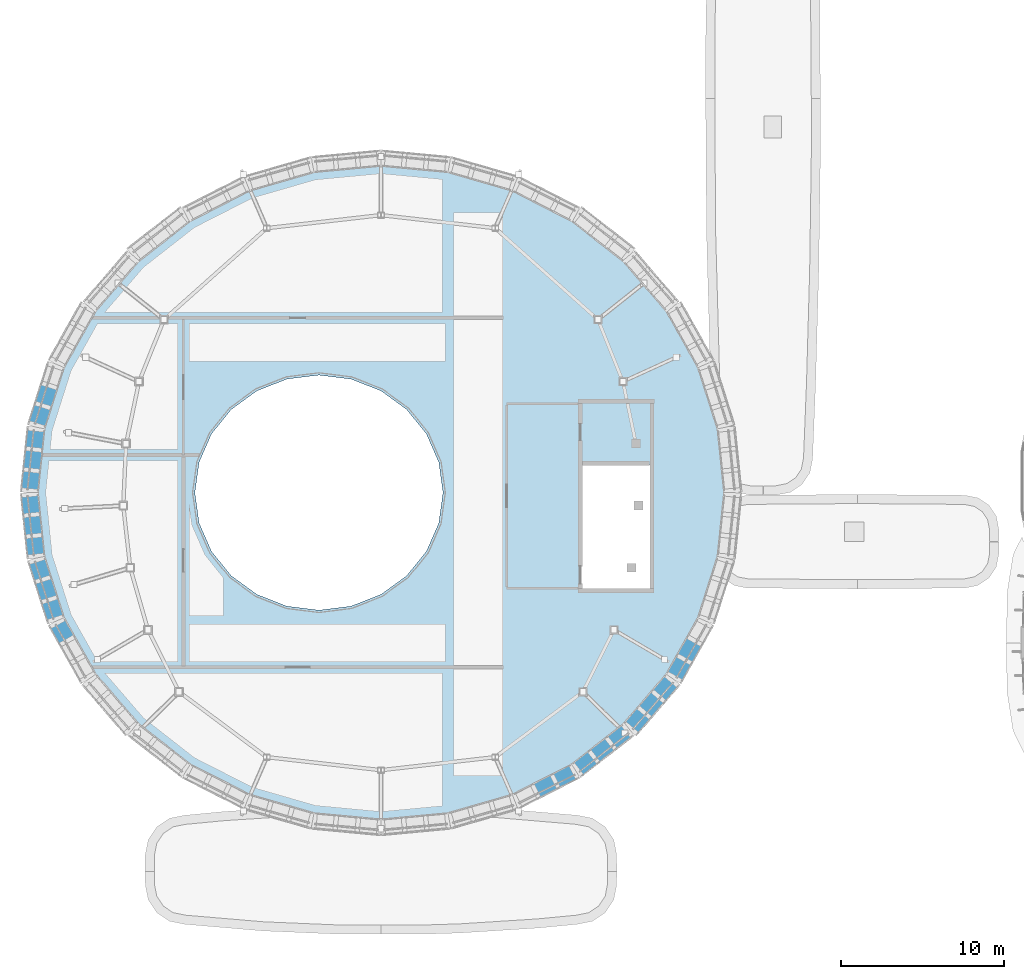
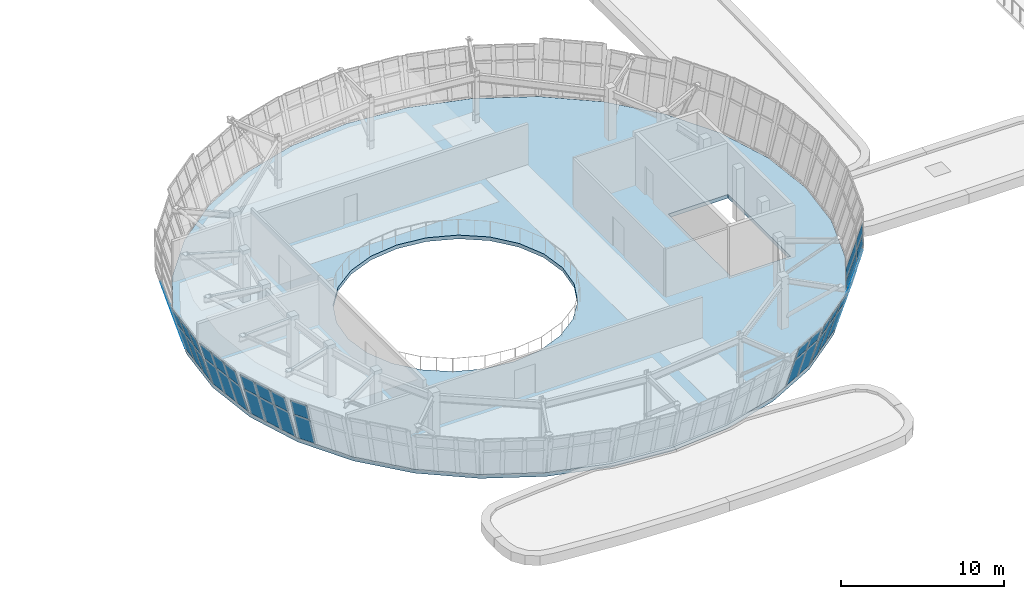
# One storey, part 63 of 111: 44 plates, 1 slab, 9 elements without a shape of their own.
"""IFC4 building model written with IfcOpenShell, lengths in metres."""

from ifc_helpers import new_model, si_unit, direction, frame, origin, place, context, subcontext, project, spatial, polyline, outline, extrude, material, layer, layer_set, type_object, element, aggregate, save


model = new_model("IFC4")

# Units and contexts
model_context = context("Model", 3, precision=1e-05, world=origin(), true_north=direction((0.0, 1.0)))
body_context = subcontext(model_context, "Body", "Model", "MODEL_VIEW")
ifc_project = project(units=[si_unit("LENGTHUNIT", "METRE"), si_unit("AREAUNIT", "SQUARE_METRE"), si_unit("VOLUMEUNIT", "CUBIC_METRE"), si_unit("PLANEANGLEUNIT", "RADIAN"), si_unit("MASSUNIT", "GRAM", prefix="KILO")], contexts=[model_context])

# Site, building, storey
site_placement = place(None, origin())
site = spatial("IfcSite", under=ifc_project, at=site_placement, CompositionType="ELEMENT")
building_placement = place(site_placement, origin())
building = spatial("IfcBuilding", under=site, at=building_placement, Name="Corveleigh Park Community Centre", CompositionType="ELEMENT")
storey_placement = place(building_placement, frame((0.0, 0.0, 4.800048828125)))
storey = spatial("IfcBuildingStorey", under=building, at=storey_placement, Name="L01", CompositionType="ELEMENT", Elevation=4.800048828125)

# Curtain wall, plates
ifc_material_1 = material(Name="Anodised aluminium 6063-T6", Category="aluminium")
curtain_wall_type = type_object("IfcCurtainWallType", Name="CW-SYS-V1-DRUM", PredefinedType="NOTDEFINED", material=ifc_material_1)
curtain_wall_1_placement = place(storey_placement, origin())
curtain_wall_1 = element("IfcCurtainWall", 1, at=curtain_wall_1_placement, inside=storey, type_object=curtain_wall_type, Name="Main Hall Flared Drum CW 176", PredefinedType="NOTDEFINED")
ifc_material_2 = material(Name="Low-E double glazing", Category="glass")
ifc_layer_1 = layer(ifc_material_2, 0.02392578125, Name="Low-E double glazing", Category="glass")
ifc_layer_set_1 = layer_set([ifc_layer_1], Name="Low-E double glazing")
plate_type = type_object("IfcPlateType", Name="CWP-GLZ-24", PredefinedType="CURTAIN_PANEL", material=ifc_layer_set_1)
plate_1_placement = place(storey_placement, frame((11.16259765625, 33.9619140625, 0.079833984375), z_axis=(0.913562429727, -0.291039587865, 0.284076829902), x_axis=(-0.303545188238, -0.952817043665, 0.0)))
plate_1 = element("IfcPlate", 2, at=plate_1_placement, type_object=plate_type, Name="CW02 panel 2.1", PredefinedType="CURTAIN_PANEL", context=body_context, shape_type="SweptSolid", body=[
    extrude(outline(polyline([(0.0, 0.0), (1.209663385314955, -1.3877787807814457e-17), (1.2095829212899214, -2.2216557950104003), (-8.046402503361638e-05, -2.2216557950104003), (0.0, 0.0)])), origin(), (0.0, 0.0, -1.0), 0.02392578125),
])
plate_2_placement = place(storey_placement, frame((10.538818359375, 34.16064453125, 2.2900390625), z_axis=(0.913575045911, -0.29101278599, 0.284063714472), x_axis=(-0.303518359534, -0.952825590209, 8.342061e-06)))
plate_2 = element("IfcPlate", 3, at=plate_2_placement, type_object=plate_type, Name="CW02 panel 2.2", PredefinedType="CURTAIN_PANEL", context=body_context, shape_type="SweptSolid", body=[
    extrude(outline(polyline([(0.0, 0.0), (1.2096633847933402, -1.3877787807814457e-17), (1.2097741039408736, -1.2952923084788328), (-0.00012190428757634829, -1.2953133597907758), (0.0, 0.0)])), origin(), (0.0, 0.0, -1.0), 0.02392578125),
])
plate_3_placement = place(storey_placement, frame((10.76953125, 32.728271484375, 0.079833984375), z_axis=(0.91358274066, -0.290990792821, 0.284061497675), x_axis=(-0.303495299185, -0.95283293567, 8.645417e-06)))
plate_3 = element("IfcPlate", 4, at=plate_3_placement, type_object=plate_type, Name="CW02 panel 3.1", PredefinedType="CURTAIN_PANEL", context=body_context, shape_type="SweptSolid", body=[
    extrude(outline(polyline([(0.0, 0.0), (1.1671205324939284, 1.3877787807814457e-17), (1.1672580646216537, -2.221634744532334), (-9.509310070999332e-05, -2.22165579414843), (0.0, 0.0)])), origin(), (0.0, 0.0, -1.0), 0.02392578125),
])
plate_4_placement = place(storey_placement, frame((10.145751953125, 32.927001953125, 2.2900390625), z_axis=(0.913582114977, -0.290990593531, 0.284063714104), x_axis=(-0.303495299223, -0.952832935658, 8.645479e-06)))
plate_4 = element("IfcPlate", 5, at=plate_4_placement, type_object=plate_type, Name="CW02 panel 3.2", PredefinedType="CURTAIN_PANEL", context=body_context, shape_type="SweptSolid", body=[
    extrude(outline(polyline([(0.0, 0.0), (1.167120532493929, 1.3877787807814457e-17), (1.1672227243007207, -1.295292309179739), (-0.00013043342164043817, -1.2953133589600774), (0.0, 0.0)])), origin(), (0.0, 0.0, -1.0), 0.02392578125),
])
aggregate(curtain_wall_1, [plate_1, plate_2, plate_3, plate_4])

curtain_wall_2_placement = place(storey_placement, origin())
curtain_wall_2 = element("IfcCurtainWall", 6, at=curtain_wall_2_placement, inside=storey, type_object=curtain_wall_type, Name="Main Hall Flared Drum CW 177", PredefinedType="NOTDEFINED")
plate_5_placement = place(storey_placement, frame((10.36865234375, 31.392822265625, 0.079833984375), z_axis=(0.953741777221, -0.098617786217, 0.283991469281), x_axis=(-0.102860937652, -0.994695745791, 2.8455341e-05)))
plate_5 = element("IfcPlate", 7, at=plate_5_placement, type_object=plate_type, Name="CW02 panel 1.1", PredefinedType="CURTAIN_PANEL", context=body_context, shape_type="SweptSolid", body=[
    extrude(outline(polyline([(0.0, 0.0), (1.1619364062564184, -1.3877787807814457e-17), (1.1619392905920274, -2.2215627219121084), (2.799686921559156e-05, -2.221631687317414), (0.0, 0.0)])), origin(), (0.0, 0.0, -1.0), 0.02392578125),
])
plate_6_placement = place(storey_placement, frame((9.717529296875, 31.460205078125, 2.2900390625), z_axis=(0.953716553352, -0.098715908564, 0.284042083606), x_axis=(-0.102956500033, -0.994685859506, 0.0)))
plate_6 = element("IfcPlate", 8, at=plate_6_placement, type_object=plate_type, Name="CW02 panel 1.2", PredefinedType="CURTAIN_PANEL", context=body_context, shape_type="SweptSolid", body=[
    extrude(outline(polyline([(0.0, 0.0), (1.1619364120891151, 0.0), (1.1619743723739249, -1.2952941768032287), (3.7960284809813275e-05, -1.2952941768032287), (0.0, 0.0)])), origin(), (0.0, 0.0, -1.0), 0.02392578125),
])
plate_7_placement = place(storey_placement, frame((10.240478515625, 30.152587890625, 0.079833984375), z_axis=(0.953716863449, -0.098713970381, 0.284041715994), x_axis=(-0.102954466897, -0.994686069947, 0.0)))
plate_7 = element("IfcPlate", 9, at=plate_7_placement, type_object=plate_type, Name="CW02 panel 2.1", PredefinedType="CURTAIN_PANEL", context=body_context, shape_type="SweptSolid", body=[
    extrude(outline(polyline([(0.0, 0.0), (1.2046435792192236, 0.0), (1.2046702979173798, -2.2216316903837154), (2.6718698155986376e-05, -2.2216316903837154), (0.0, 0.0)])), origin(), (0.0, 0.0, -1.0), 0.02392578125),
])
plate_8_placement = place(storey_placement, frame((9.589111328125, 30.219970703125, 2.2900390625), z_axis=(0.953736635819, -0.098521694042, 0.284042083678), x_axis=(-0.102753942538, -0.994706804688, 0.0)))
plate_8 = element("IfcPlate", 10, at=plate_8_placement, type_object=plate_type, Name="CW02 panel 2.2", PredefinedType="CURTAIN_PANEL", context=body_context, shape_type="SweptSolid", body=[
    extrude(outline(polyline([(0.0, 0.0), (1.2046184683291448, 0.0), (1.204581506692894, -1.2952941768321105), (-3.696163625066733e-05, -1.2952941768321105), (0.0, 0.0)])), origin(), (0.0, 0.0, -1.0), 0.02392578125),
])
plate_9_placement = place(storey_placement, frame((10.107666015625, 28.869873046875, 0.079833984375), z_axis=(0.953739400317, -0.098496001427, 0.284041711701), x_axis=(-0.102727134425, -0.994709573621, 0.0)))
plate_9 = element("IfcPlate", 11, at=plate_9_placement, type_object=plate_type, Name="CW02 panel 3.1", PredefinedType="CURTAIN_PANEL", context=body_context, shape_type="SweptSolid", body=[
    extrude(outline(polyline([(0.0, 0.0), (1.1621541503486827, 0.0), (1.1620366493776288, -2.2216316874370996), (-0.00011750097105400759, -2.221631687437099), (0.0, 0.0)])), origin(), (0.0, 0.0, -1.0), 0.02392578125),
])
plate_10_placement = place(storey_placement, frame((9.45654296875, 28.937255859375, 2.2900390625), z_axis=(0.953718688024, -0.098695281337, 0.284042084127), x_axis=(-0.102934986728, -0.994688086039, 0.0)))
plate_10 = element("IfcPlate", 12, at=plate_10_placement, type_object=plate_type, Name="CW02 panel 3.2", PredefinedType="CURTAIN_PANEL", context=body_context, shape_type="SweptSolid", body=[
    extrude(outline(polyline([(0.0, 0.0), (1.1621792555883552, 6.938893903907228e-18), (1.1622092584618589, -1.2952941770119886), (3.0002873503331317e-05, -1.2952941770119886), (0.0, 0.0)])), origin(), (0.0, 0.0, -1.0), 0.02392578125),
])
aggregate(curtain_wall_2, [plate_5, plate_6, plate_7, plate_8, plate_9, plate_10])

curtain_wall_3_placement = place(storey_placement, origin())
curtain_wall_3 = element("IfcCurtainWall", 13, at=curtain_wall_3_placement, inside=storey, type_object=curtain_wall_type, Name="Main Hall Flared Drum CW 178", PredefinedType="NOTDEFINED")
plate_11_placement = place(storey_placement, frame((9.98828125, 27.486083984375, 0.079833984375), z_axis=(0.953739400317, 0.098496001427, 0.284041711701), x_axis=(0.102727134425, -0.994709573621, 0.0)))
plate_11 = element("IfcPlate", 14, at=plate_11_placement, type_object=plate_type, Name="CW02 panel 1.1", PredefinedType="CURTAIN_PANEL", context=body_context, shape_type="SweptSolid", body=[
    extrude(outline(polyline([(0.0, 0.0), (1.1621541503486827, 0.0), (1.1622716513197366, -2.2216316874370996), (0.00011750097105400759, -2.221631687437099), (0.0, 0.0)])), origin(), (0.0, 0.0, -1.0), 0.02392578125),
])
plate_12_placement = place(storey_placement, frame((9.3369140625, 27.418701171875, 2.2900390625), z_axis=(0.953718688024, 0.098695281337, 0.284042084127), x_axis=(0.102934986728, -0.994688086039, 0.0)))
plate_12 = element("IfcPlate", 15, at=plate_12_placement, type_object=plate_type, Name="CW02 panel 1.2", PredefinedType="CURTAIN_PANEL", context=body_context, shape_type="SweptSolid", body=[
    extrude(outline(polyline([(0.0, 0.0), (1.1621792555883552, -6.938893903907228e-18), (1.162149252714852, -1.2952941770119886), (-3.0002873503331317e-05, -1.2952941770119886), (0.0, 0.0)])), origin(), (0.0, 0.0, -1.0), 0.02392578125),
])
plate_13_placement = place(storey_placement, frame((10.116455078125, 26.24560546875, 0.079833984375), z_axis=(0.953714803204, 0.098733874063, 0.284041715706), x_axis=(0.102975225581, -0.994683921111, 0.0)))
plate_13 = element("IfcPlate", 16, at=plate_13_placement, type_object=plate_type, Name="CW02 panel 2.1", PredefinedType="CURTAIN_PANEL", context=body_context, shape_type="SweptSolid", body=[
    extrude(outline(polyline([(0.0, 0.0), (1.2044007362027105, 0.0), (1.2043608480307384, -2.221631690186298), (-3.988817197209116e-05, -2.2216316901862974), (0.0, 0.0)])), origin(), (0.0, 0.0, -1.0), 0.02392578125),
])
plate_14_placement = place(storey_placement, frame((9.46533203125, 26.17822265625, 2.2900390625), z_axis=(0.953734583321, 0.09854155976, 0.284042084168), x_axis=(0.102774661654, -0.99470466417, 0.0)))
plate_14 = element("IfcPlate", 17, at=plate_14_placement, type_object=plate_type, Name="CW02 panel 2.2", PredefinedType="CURTAIN_PANEL", context=body_context, shape_type="SweptSolid", body=[
    extrude(outline(polyline([(0.0, 0.0), (1.2043756202494236, 0.0), (1.204404918376282, -1.2952941770281208), (2.929812685823624e-05, -1.2952941770281208), (0.0, 0.0)])), origin(), (0.0, 0.0, -1.0), 0.02392578125),
])
plate_15_placement = place(storey_placement, frame((10.2490234375, 24.962890625, 0.079833984375), z_axis=(0.953741777221, 0.098617786217, 0.283991469281), x_axis=(0.102860937652, -0.994695745791, -2.8455341e-05)))
plate_15 = element("IfcPlate", 18, at=plate_15_placement, type_object=plate_type, Name="CW02 panel 3.1", PredefinedType="CURTAIN_PANEL", context=body_context, shape_type="SweptSolid", body=[
    extrude(outline(polyline([(0.0, 0.0), (1.1619364062564184, 1.3877787807814457e-17), (1.161908409387203, -2.221631687317414), (-2.88433560903604e-06, -2.2215627219121084), (0.0, 0.0)])), origin(), (0.0, 0.0, -1.0), 0.02392578125),
])
plate_16_placement = place(storey_placement, frame((9.597900390625, 24.8955078125, 2.2900390625), z_axis=(0.953716553352, 0.098715908564, 0.284042083606), x_axis=(0.102956500033, -0.994685859506, 0.0)))
plate_16 = element("IfcPlate", 19, at=plate_16_placement, type_object=plate_type, Name="CW02 panel 3.2", PredefinedType="CURTAIN_PANEL", context=body_context, shape_type="SweptSolid", body=[
    extrude(outline(polyline([(0.0, 0.0), (1.1619364120891151, 0.0), (1.1618984518043052, -1.2952941768032287), (-3.7960284809813275e-05, -1.2952941768032287), (0.0, 0.0)])), origin(), (0.0, 0.0, -1.0), 0.02392578125),
])
aggregate(curtain_wall_3, [plate_11, plate_12, plate_13, plate_14, plate_15, plate_16])

curtain_wall_4_placement = place(storey_placement, origin())
curtain_wall_4 = element("IfcCurtainWall", 20, at=curtain_wall_4_placement, inside=storey, type_object=curtain_wall_type, Name="Main Hall Flared Drum CW 179", PredefinedType="NOTDEFINED")
plate_17_placement = place(storey_placement, frame((10.415283203125, 23.583740234375, 0.079833984375), z_axis=(0.91358274066, 0.290990792821, 0.284061497675), x_axis=(0.303495299185, -0.95283293567, -8.645417e-06)))
plate_17 = element("IfcPlate", 21, at=plate_17_placement, type_object=plate_type, Name="CW02 panel 1.1", PredefinedType="CURTAIN_PANEL", context=body_context, shape_type="SweptSolid", body=[
    extrude(outline(polyline([(0.0, 0.0), (1.1671205324939284, -1.3877787807814457e-17), (1.1672156255946384, -2.22165579414843), (-0.00013753212772509718, -2.221634744532334), (0.0, 0.0)])), origin(), (0.0, 0.0, -1.0), 0.02392578125),
])
plate_18_placement = place(storey_placement, frame((9.79150390625, 23.385009765625, 2.2900390625), z_axis=(0.913582114977, 0.290990593531, 0.284063714104), x_axis=(0.303495299223, -0.952832935658, -8.645479e-06)))
plate_18 = element("IfcPlate", 22, at=plate_18_placement, type_object=plate_type, Name="CW02 panel 1.2", PredefinedType="CURTAIN_PANEL", context=body_context, shape_type="SweptSolid", body=[
    extrude(outline(polyline([(0.0, 0.0), (1.167120532493929, -1.3877787807814457e-17), (1.1672509659155694, -1.2953133589600774), (-0.00010219180679168246, -1.295292309179739), (0.0, 0.0)])), origin(), (0.0, 0.0, -1.0), 0.02392578125),
])
plate_19_placement = place(storey_placement, frame((10.79541015625, 22.390625, 0.079833984375), z_axis=(0.913575671718, 0.291012985336, 0.284061497586), x_axis=(0.303518359497, -0.95282559022, -8.342001e-06)))
plate_19 = element("IfcPlate", 23, at=plate_19_placement, type_object=plate_type, Name="CW02 panel 2.1", PredefinedType="CURTAIN_PANEL", context=body_context, shape_type="SweptSolid", body=[
    extrude(outline(polyline([(0.0, 0.0), (1.2096633847933393, 1.3877787807814457e-17), (1.2097438498616384, -2.2216557947263498), (-0.00015215836681347952, -2.2216347435786954), (0.0, 0.0)])), origin(), (0.0, 0.0, -1.0), 0.02392578125),
])
plate_20_placement = place(storey_placement, frame((10.171630859375, 22.19189453125, 2.2900390625), z_axis=(0.913575045911, 0.29101278599, 0.284063714472), x_axis=(0.303518359534, -0.952825590209, -8.342061e-06)))
plate_20 = element("IfcPlate", 24, at=plate_20_placement, type_object=plate_type, Name="CW02 panel 2.2", PredefinedType="CURTAIN_PANEL", context=body_context, shape_type="SweptSolid", body=[
    extrude(outline(polyline([(0.0, 0.0), (1.2096633847933402, 1.3877787807814457e-17), (1.2097852890809164, -1.2953133597907758), (-0.00011071914753318469, -1.2952923084788328), (0.0, 0.0)])), origin(), (0.0, 0.0, -1.0), 0.02392578125),
])
plate_21_placement = place(storey_placement, frame((11.188232421875, 21.156982421875, 0.079833984375), z_axis=(0.913580893418, 0.291058530903, 0.283998033039), x_axis=(0.303565211231, -0.95281066419, -2.7129548e-05)))
plate_21 = element("IfcPlate", 25, at=plate_21_placement, type_object=plate_type, Name="CW02 panel 3.1", PredefinedType="CURTAIN_PANEL", context=body_context, shape_type="SweptSolid", body=[
    extrude(outline(polyline([(0.0, 0.0), (1.167427263856747, 0.0), (1.1672040558864791, -2.221634735061402), (-0.00014909536986999067, -2.2215686734260984), (0.0, 0.0)])), origin(), (0.0, 0.0, -1.0), 0.02392578125),
])
plate_22_placement = place(storey_placement, frame((10.564453125, 20.958251953125, 2.2900390625), z_axis=(0.913524107745, 0.291172649423, 0.284063712568), x_axis=(0.303685178128, -0.952772434798, -8.650338e-06)))
plate_22 = element("IfcPlate", 26, at=plate_22_placement, type_object=plate_type, Name="CW02 panel 3.2", PredefinedType="CURTAIN_PANEL", context=body_context, shape_type="SweptSolid", body=[
    extrude(outline(polyline([(0.0, 0.0), (1.1671946579945935, -1.3877787807814457e-17), (1.167251751518579, -1.2953133642683015), (-0.00017551693372894694, -1.2952923013187303), (0.0, 0.0)])), origin(), (0.0, 0.0, -1.0), 0.02392578125),
])
aggregate(curtain_wall_4, [plate_17, plate_18, plate_19, plate_20, plate_21, plate_22])

curtain_wall_5_placement = place(storey_placement, origin())
curtain_wall_5 = element("IfcCurtainWall", 27, at=curtain_wall_5_placement, inside=storey, type_object=curtain_wall_type, Name="Main Hall Flared Drum CW 180", PredefinedType="NOTDEFINED")
plate_23_placement = place(storey_placement, frame((11.6328125, 19.837158203125, 0.079833984375), z_axis=(0.836191551865, 0.469194712251, 0.283971848226), x_axis=(0.489349476617, -0.872087775544, -3.8473367e-05)))
plate_23 = element("IfcPlate", 28, at=plate_23_placement, type_object=plate_type, Name="CW02 panel 1.1", PredefinedType="CURTAIN_PANEL", context=body_context, shape_type="SweptSolid", body=[
    extrude(outline(polyline([(0.0, 0.0), (1.1761540065737517, 0.0), (1.1761202262135537, -2.221630933354547), (-0.0001272223277094574, -2.221536542736299), (0.0, 0.0)])), origin(), (0.0, 0.0, -1.0), 0.02392578125),
])
plate_24_placement = place(storey_placement, frame((11.06201171875, 19.516845703125, 2.2900390625), z_axis=(0.836161667619, 0.469177943927, 0.284087526191), x_axis=(0.489349484715, -0.872087771, -3.8487663e-05)))
plate_24 = element("IfcPlate", 29, at=plate_24_placement, type_object=plate_type, Name="CW02 panel 1.2", PredefinedType="CURTAIN_PANEL", context=body_context, shape_type="SweptSolid", body=[
    extrude(outline(polyline([(0.0, 0.0), (1.1761540065745233, -2.7755575615628914e-17), (1.176132135445284, -1.2953595778924964), (-0.00011531309366447056, -1.2952651488235547), (0.0, 0.0)])), origin(), (0.0, 0.0, -1.0), 0.02392578125),
])
aggregate(curtain_wall_5, [plate_23, plate_24])

curtain_wall_6_placement = place(storey_placement, origin())
curtain_wall_6 = element("IfcCurtainWall", 30, at=curtain_wall_6_placement, inside=storey, type_object=curtain_wall_type, Name="Main Hall Flared Drum CW 188", PredefinedType="NOTDEFINED")
plate_25_placement = place(storey_placement, frame((40.30224609375, 9.740234375, 0.079833984375), z_axis=(-0.435129928287, 0.854426789834, 0.283930988662), x_axis=(0.89110027264, 0.453806461061, 0.0)))
plate_25 = element("IfcPlate", 31, at=plate_25_placement, type_object=plate_type, Name="CW02 panel 2.1", PredefinedType="CURTAIN_PANEL", context=body_context, shape_type="SweptSolid", body=[
    extrude(outline(polyline([(0.0, 0.0), (1.2567306747164828, 0.0), (1.2568767065632067, -2.2215557040951697), (0.00014603184672390412, -2.2215557040951697), (0.0, 0.0)])), origin(), (0.0, 0.0, -1.0), 0.02392578125),
])
plate_26_placement = place(storey_placement, frame((40.599365234375, 9.1572265625, 2.2900390625), z_axis=(-0.435203722068, 0.854388817943, 0.283932153994), x_axis=(0.891064158349, 0.453877367965, 2.3563401e-05)))
plate_26 = element("IfcPlate", 32, at=plate_26_placement, type_object=plate_type, Name="CW02 panel 2.2", PredefinedType="CURTAIN_PANEL", context=body_context, shape_type="SweptSolid", body=[
    extrude(outline(polyline([(0.0, 0.0), (1.2567306703887642, -2.7755575615628914e-17), (1.256737461296281, -0.9344232558458819), (-0.00010401899677153327, -0.9344850263587497), (0.0, 0.0)])), origin(), (0.0, 0.0, -1.0), 0.02392578125),
])
plate_27_placement = place(storey_placement, frame((41.498046875, 10.34912109375, 0.079833984375), z_axis=(-0.43527937926, 0.854365902958, 0.28388512792), x_axis=(0.891024153867, 0.453955897886, 0.0)))
plate_27 = element("IfcPlate", 33, at=plate_27_placement, type_object=plate_type, Name="CW02 panel 3.1", PredefinedType="CURTAIN_PANEL", context=body_context, shape_type="SweptSolid", body=[
    extrude(outline(polyline([(0.0, 0.0), (1.2143680340247587, 0.0), (1.2141907467684274, -2.2215242432618902), (-0.00017728725633131548, -2.2215242432618902), (0.0, 0.0)])), origin(), (0.0, 0.0, -1.0), 0.02392578125),
])
plate_28_placement = place(storey_placement, frame((41.794921875, 9.76611328125, 2.2900390625), z_axis=(-0.435134371748, 0.85445969676, 0.283825131263), x_axis=(0.891105466146, 0.453796262882, 0.0)))
plate_28 = element("IfcPlate", 34, at=plate_28_placement, type_object=plate_type, Name="CW02 panel 3.2", PredefinedType="CURTAIN_PANEL", context=body_context, shape_type="SweptSolid", body=[
    extrude(outline(polyline([(0.0, 0.0), (1.214257224433932, 2.7755575615628914e-17), (1.2142670418998818, -0.9344232616394489), (9.817465949718312e-06, -0.9344232616394489), (0.0, 0.0)])), origin(), (0.0, 0.0, -1.0), 0.02392578125),
])
aggregate(curtain_wall_6, [plate_25, plate_26, plate_27, plate_28])

curtain_wall_7_placement = place(storey_placement, origin())
curtain_wall_7 = element("IfcCurtainWall", 35, at=curtain_wall_7_placement, inside=storey, type_object=curtain_wall_type, Name="Main Hall Flared Drum CW 189", PredefinedType="NOTDEFINED")
plate_29_placement = place(storey_placement, frame((42.7685546875, 11.019775390625, 0.079833984375), z_axis=(-0.590528371741, 0.755424385819, 0.283919424272), x_axis=(0.787849672837, 0.615867593348, 2.1787964e-05)))
plate_29 = element("IfcPlate", 36, at=plate_29_placement, type_object=plate_type, Name="CW02 panel 1.1", PredefinedType="CURTAIN_PANEL", context=body_context, shape_type="SweptSolid", body=[
    extrude(outline(polyline([(0.0, 0.0), (1.2016542252682703, 5.551115123125783e-17), (1.201744161060357, -2.2215204634954917), (-6.042250707040234e-05, -2.2215750774339527), (0.0, 0.0)])), origin(), (0.0, 0.0, -1.0), 0.02392578125),
])
plate_30_placement = place(storey_placement, frame((43.171630859375, 10.504150390625, 2.2900390625), z_axis=(-0.590601501057, 0.755393344689, 0.283849892987), x_axis=(0.787796412937, 0.615935720481, 0.0)))
plate_30 = element("IfcPlate", 37, at=plate_30_placement, type_object=plate_type, Name="CW02 panel 1.2", PredefinedType="CURTAIN_PANEL", context=body_context, shape_type="SweptSolid", body=[
    extrude(outline(polyline([(0.0, 0.0), (1.2018045883461863, 0.0), (1.2017544964329028, -0.934430404535575), (-5.009191328347873e-05, -0.934430404535575), (0.0, 0.0)])), origin(), (0.0, 0.0, -1.0), 0.02392578125),
])
plate_31_placement = place(storey_placement, frame((43.782470703125, 11.812255859375, 0.079833984375), z_axis=(-0.590517244095, 0.75543308429, 0.283919424462), x_axis=(0.787850934094, 0.615865979905, -2.1042411e-05)))
plate_31 = element("IfcPlate", 38, at=plate_31_placement, type_object=plate_type, Name="CW02 panel 2.1", PredefinedType="CURTAIN_PANEL", context=body_context, shape_type="SweptSolid", body=[
    extrude(outline(polyline([(0.0, 0.0), (1.244244338698588, -2.7755575615628914e-17), (1.2440939739588426, -2.2215750731669646), (-6.834495170799921e-09, -2.2215204653159235), (0.0, 0.0)])), origin(), (0.0, 0.0, -1.0), 0.02392578125),
])
plate_32_placement = place(storey_placement, frame((44.185302734375, 11.296630859375, 2.2900390625), z_axis=(-0.59052918009, 0.755422084311, 0.283923866551), x_axis=(0.787847379464, 0.615870527304, 1.6446766e-05)))
plate_32 = element("IfcPlate", 39, at=plate_32_placement, type_object=plate_type, Name="CW02 panel 2.2", PredefinedType="CURTAIN_PANEL", context=body_context, shape_type="SweptSolid", body=[
    extrude(outline(polyline([(0.0, 0.0), (1.2444366848470259, 0.0), (1.2444232778940347, -0.9344304030015121), (0.000178938598635936, -0.9344730904812867), (0.0, 0.0)])), origin(), (0.0, 0.0, -1.0), 0.02392578125),
])
plate_33_placement = place(storey_placement, frame((44.829833984375, 12.630859375, 0.079833984375), z_axis=(-0.590486787937, 0.755468582224, 0.283888313505), x_axis=(0.78787714697, 0.615832444562, -3.8810959e-05)))
plate_33 = element("IfcPlate", 40, at=plate_33_placement, type_object=plate_type, Name="CW02 panel 3.1", PredefinedType="CURTAIN_PANEL", context=body_context, shape_type="SweptSolid", body=[
    extrude(outline(polyline([(0.0, 0.0), (1.2018045771152082, 5.551115123125783e-17), (1.2016432143421667, -2.221575068233642), (-0.0002033658742152556, -2.2214777774251235), (0.0, 0.0)])), origin(), (0.0, 0.0, -1.0), 0.02392578125),
])
plate_34_placement = place(storey_placement, frame((45.232666015625, 12.115234375, 2.2900390625), z_axis=(-0.590506992761, 0.755467224578, 0.28384989711), x_axis=(0.787873462952, 0.615837158977, 0.0)))
plate_34 = element("IfcPlate", 41, at=plate_34_placement, type_object=plate_type, Name="CW02 panel 3.2", PredefinedType="CURTAIN_PANEL", context=body_context, shape_type="SweptSolid", body=[
    extrude(outline(polyline([(0.0, 0.0), (1.2019969308610854, 2.7755575615628914e-17), (1.201980021347137, -0.9344304057252131), (-1.6909513948476507e-05, -0.9344304057252131), (0.0, 0.0)])), origin(), (0.0, 0.0, -1.0), 0.02392578125),
])
aggregate(curtain_wall_7, [plate_29, plate_30, plate_31, plate_32, plate_33, plate_34])

curtain_wall_8_placement = place(storey_placement, origin())
curtain_wall_8 = element("IfcCurtainWall", 42, at=curtain_wall_8_placement, inside=storey, type_object=curtain_wall_type, Name="Main Hall Flared Drum CW 190", PredefinedType="NOTDEFINED")
plate_35_placement = place(storey_placement, frame((45.939453125, 13.52685546875, 0.079833984375), z_axis=(-0.726248591383, 0.626015258136, 0.284020914889), x_axis=(0.652903056382, 0.757441482207, 0.0)))
plate_35 = element("IfcPlate", 43, at=plate_35_placement, type_object=plate_type, Name="CW02 panel 1.1", PredefinedType="CURTAIN_PANEL", context=body_context, shape_type="SweptSolid", body=[
    extrude(outline(polyline([(0.0, 0.0), (1.1887263189979533, 0.0), (1.188868019171865, -2.221617412834647), (0.00014170017391160777, -2.221617412834647), (0.0, 0.0)])), origin(), (0.0, 0.0, -1.0), 0.02392578125),
])
plate_36_placement = place(storey_placement, frame((46.435302734375, 13.099609375, 2.2900390625), z_axis=(-0.726225860196, 0.625995664198, 0.284122206785), x_axis=(0.652903056382, 0.757441482207, 0.0)))
plate_36 = element("IfcPlate", 44, at=plate_36_placement, type_object=plate_type, Name="CW02 panel 1.2", PredefinedType="CURTAIN_PANEL", context=body_context, shape_type="SweptSolid", body=[
    extrude(outline(polyline([(0.0, 0.0), (1.1887263189979533, 0.0), (1.1887978209257657, -1.2953262483496686), (7.150192781239224e-05, -1.2953262483496686), (0.0, 0.0)])), origin(), (0.0, 0.0, -1.0), 0.02392578125),
])
plate_37_placement = place(storey_placement, frame((46.77099609375, 14.49169921875, 0.079833984375), z_axis=(-0.726283689253, 0.625991897085, 0.283982653535), x_axis=(0.652875562368, 0.757465180483, 2.0447564e-05)))
plate_37 = element("IfcPlate", 45, at=plate_37_placement, type_object=plate_type, Name="CW02 panel 2.1", PredefinedType="CURTAIN_PANEL", context=body_context, shape_type="SweptSolid", body=[
    extrude(outline(polyline([(0.0, 0.0), (1.2313076700009635, -2.7755575615628914e-17), (1.2313106292479523, -2.2215648964267993), (0.00016235269483281343, -2.221617409652362), (0.0, 0.0)])), origin(), (0.0, 0.0, -1.0), 0.02392578125),
])
plate_38_placement = place(storey_placement, frame((47.266845703125, 14.064208984375, 2.2900390625), z_axis=(-0.72626710057, 0.625977599117, 0.28405658597), x_axis=(0.652875564757, 0.757465178424, 2.045242e-05)))
plate_38 = element("IfcPlate", 46, at=plate_38_placement, type_object=plate_type, Name="CW02 panel 2.2", PredefinedType="CURTAIN_PANEL", context=body_context, shape_type="SweptSolid", body=[
    extrude(outline(polyline([(0.0, 0.0), (1.2313076700011092, 2.7755575615628914e-17), (1.2312318216808122, -1.2952737176980542), (8.354512813006591e-05, -1.2953262445949825), (0.0, 0.0)])), origin(), (0.0, 0.0, -1.0), 0.02392578125),
])
plate_39_placement = place(storey_placement, frame((47.63037109375, 15.48876953125, 0.079833984375), z_axis=(-0.726283157849, 0.625960189454, 0.28405389602), x_axis=(0.652856372354, 0.757481720402, 1.8258943e-05)))
plate_39 = element("IfcPlate", 47, at=plate_39_placement, type_object=plate_type, Name="CW02 panel 3.1", PredefinedType="CURTAIN_PANEL", context=body_context, shape_type="SweptSolid", body=[
    extrude(outline(polyline([(0.0, 0.0), (1.1887263165421045, 0.0), (1.188868021628007, -2.2216174115202767), (-4.322697474267651e-05, -2.2216626897569154), (0.0, 0.0)])), origin(), (0.0, 0.0, -1.0), 0.02392578125),
])
plate_40_placement = place(storey_placement, frame((48.126220703125, 15.061279296875, 2.2900390625), z_axis=(-0.726225860196, 0.625995664198, 0.284122206785), x_axis=(0.652903056382, 0.757441482207, 0.0)))
plate_40 = element("IfcPlate", 48, at=plate_40_placement, type_object=plate_type, Name="CW02 panel 3.2", PredefinedType="CURTAIN_PANEL", context=body_context, shape_type="SweptSolid", body=[
    extrude(outline(polyline([(0.0, 0.0), (1.1887263189979533, 0.0), (1.1887978209257657, -1.2953262483496686), (7.150192781239224e-05, -1.2953262483496686), (0.0, 0.0)])), origin(), (0.0, 0.0, -1.0), 0.02392578125),
])
aggregate(curtain_wall_8, [plate_35, plate_36, plate_37, plate_38, plate_39, plate_40])

curtain_wall_9_placement = place(storey_placement, origin())
curtain_wall_9 = element("IfcCurtainWall", 49, at=curtain_wall_9_placement, inside=storey, type_object=curtain_wall_type, Name="Main Hall Flared Drum CW 191", PredefinedType="NOTDEFINED")
plate_41_placement = place(storey_placement, frame((48.536376953125, 16.574462890625, 0.079833984375), z_axis=(-0.836191551865, 0.469194712251, 0.283971848226), x_axis=(0.48932960339, 0.872098926594, -3.847031e-05)))
plate_41 = element("IfcPlate", 50, at=plate_41_placement, type_object=plate_type, Name="CW02 panel 1.1", PredefinedType="CURTAIN_PANEL", context=body_context, shape_type="SweptSolid", body=[
    extrude(outline(polyline([(0.0, 0.0), (1.1762474523285567, 0.0), (1.1761029529254012, -2.2216309289120977), (-5.1049861357668926e-05, -2.221536545792614), (0.0, 0.0)])), origin(), (0.0, 0.0, -1.0), 0.02392578125),
])
plate_42_placement = place(storey_placement, frame((49.107177734375, 16.254150390625, 2.2900390625), z_axis=(-0.836138720718, 0.469264572999, 0.284011972009), x_axis=(0.48941489379, 0.872051065905, -1.3829984e-05)))
plate_42 = element("IfcPlate", 51, at=plate_42_placement, type_object=plate_type, Name="CW02 panel 1.2", PredefinedType="CURTAIN_PANEL", context=body_context, shape_type="SweptSolid", body=[
    extrude(outline(polyline([(0.0, 0.0), (1.1763669185761039, 0.0), (1.1762319407134993, -1.2952990927947576), (7.792522965721993e-05, -1.2952651601469718), (0.0, 0.0)])), origin(), (0.0, 0.0, -1.0), 0.02392578125),
])
plate_43_placement = place(storey_placement, frame((49.153564453125, 17.674560546875, 0.079833984375), z_axis=(-0.83618582548, 0.469189956061, 0.28399656758), x_axis=(0.489332170928, 0.872097486482, -2.3789309e-05)))
plate_43 = element("IfcPlate", 52, at=plate_43_placement, type_object=plate_type, Name="CW02 panel 2.1", PredefinedType="CURTAIN_PANEL", context=body_context, shape_type="SweptSolid", body=[
    extrude(outline(polyline([(0.0, 0.0), (1.2185521289219146, -2.7755575615628914e-17), (1.218440759573045, -2.2216309341897587), (-0.00023083521091234744, -2.221570464498728), (0.0, 0.0)])), origin(), (0.0, 0.0, -1.0), 0.02392578125),
])
plate_44_placement = place(storey_placement, frame((49.724365234375, 17.35400390625, 2.2900390625), z_axis=(-0.836163859069, 0.469219778961, 0.28401197126), x_axis=(0.489368300675, 0.872077213391, -1.3346287e-05)))
plate_44 = element("IfcPlate", 53, at=plate_44_placement, type_object=plate_type, Name="CW02 panel 2.2", PredefinedType="CURTAIN_PANEL", context=body_context, shape_type="SweptSolid", body=[
    extrude(outline(polyline([(0.0, 0.0), (1.2188845082164932, -2.7755575615628914e-17), (1.2187304728267332, -1.2952990906688968), (5.887408616558233e-05, -1.2952651611532562), (0.0, 0.0)])), origin(), (0.0, 0.0, -1.0), 0.02392578125),
])
aggregate(curtain_wall_9, [plate_41, plate_42, plate_43, plate_44])

# Slab
ifc_material_3 = material(Name="Concrete C32/40", Category="concrete")
ifc_layer_2 = layer(ifc_material_3, 0.280029296875, Name="Concrete C32/40", Category="concrete")
ifc_layer_set_2 = layer_set([ifc_layer_2], Name="Concrete C32/40")
slab_type = type_object("IfcSlabType", Name="SLB-FLR-280", PredefinedType="FLOOR", material=ifc_layer_set_2)
slab_placement = place(storey_placement, frame((0.0, 0.0, -0.280029296875)))
element("IfcSlab", 54, at=slab_placement, inside=storey, type_object=slab_type, Name="V1 L01 floor slab", PredefinedType="FLOOR", context=body_context, shape_type="SweptSolid", body=[
    extrude(outline(polyline([(51.595947265625, 23.697998046875), (50.40087890625, 19.946044921875), (48.4609375, 16.489013671875), (45.84912109375, 13.4580078125), (42.6669921875, 10.970947265625), (39.035888671875, 9.1220703125), (35.096923828125, 7.98388671875), (31.0, 7.60009765625), (26.903076171875, 7.98388671875), (22.964111328125, 9.1220703125), (19.3330078125, 10.970947265625), (16.15087890625, 13.4580078125), (13.5390625, 16.489013671875), (11.59912109375, 19.946044921875), (10.404052734375, 23.697998046875), (10.0, 27.60009765625), (10.404052734375, 31.501953125), (11.59912109375, 35.25390625), (13.5390625, 38.7109375), (16.15087890625, 41.741943359375), (19.3330078125, 44.22900390625), (22.964111328125, 46.077880859375), (26.903076171875, 47.216064453125), (31.0, 47.60009765625), (35.096923828125, 47.216064453125), (39.035888671875, 46.077880859375), (42.6669921875, 44.22900390625), (45.84912109375, 41.741943359375), (48.4609375, 38.7109375), (50.40087890625, 35.25390625), (51.595947265625, 31.501953125), (52.0, 27.60009765625), (51.595947265625, 23.697998046875)]), holes=[polyline([(34.541015625, 29.462890625), (33.781982421875, 31.199951171875), (32.573974609375, 32.69091796875), (31.0, 33.8349609375), (29.1669921875, 34.554931640625), (27.199951171875, 34.800048828125), (25.23291015625, 34.554931640625), (23.39990234375, 33.8349609375), (21.825927734375, 32.69091796875), (20.617919921875, 31.199951171875), (19.85888671875, 29.462890625), (19.60009765625, 27.60009765625), (19.85888671875, 25.737060546875), (20.617919921875, 24.0), (21.825927734375, 22.509033203125), (23.39990234375, 21.364990234375), (25.23291015625, 20.64501953125), (27.199951171875, 20.39990234375), (29.1669921875, 20.64501953125), (31.0, 21.364990234375), (32.573974609375, 22.509033203125), (33.781982421875, 24.0), (34.541015625, 25.737060546875), (34.800048828125, 27.60009765625), (34.541015625, 29.462890625)]), polyline([(47.51708984375, 29.3291015625), (43.283935546875, 29.3291015625), (43.283935546875, 21.68408203125), (47.51708984375, 21.68408203125), (47.51708984375, 29.3291015625)])]), origin(), (0.0, 0.0, 1.0), 0.280029296875),
])

save(model, "model.ifc")
